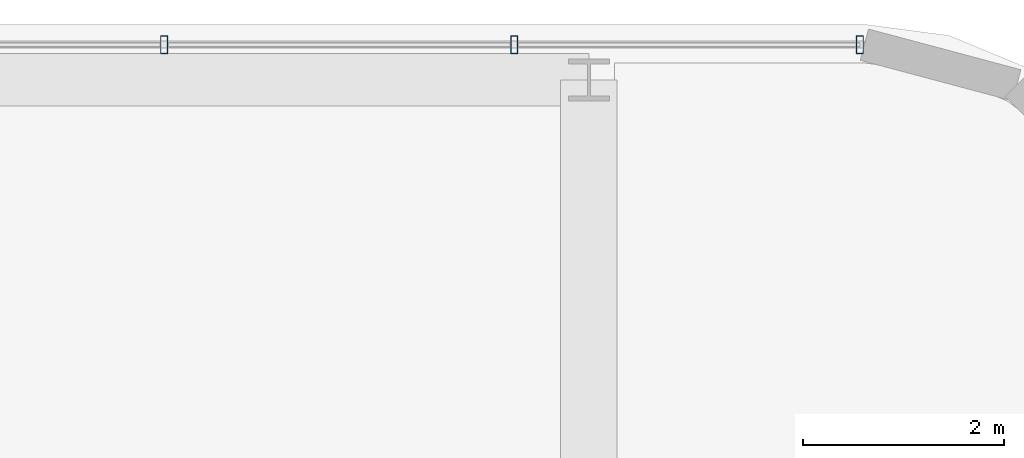
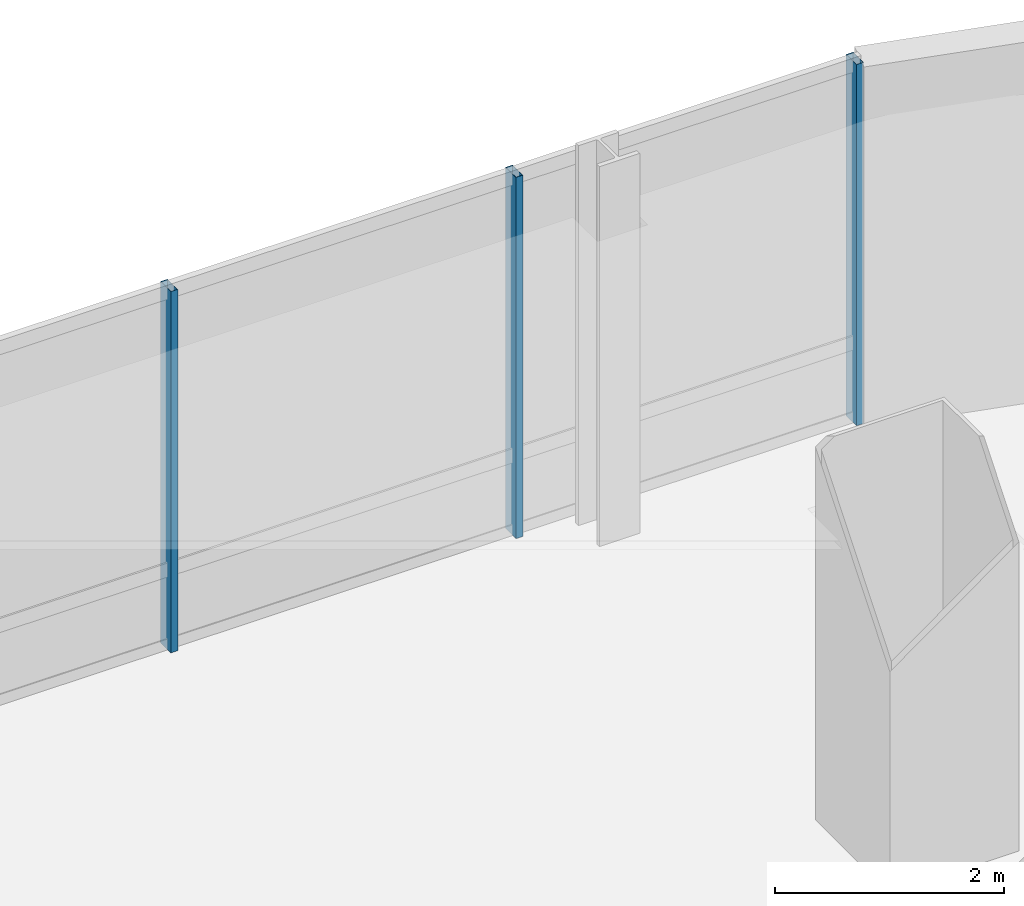
# One storey, part 28 of 44: 3 members, 1 element without a shape of its own.
"""IFC4 building model written with IfcOpenShell, lengths in metres."""

from ifc_helpers import new_model, si_unit, direction, frame, origin, origin_2d, place, context, subcontext, project, spatial, hollow_rectangle, extrude, material, material_profile, profile_set, type_object, element, aggregate, save


model = new_model("IFC4")

# Units and contexts
model_context = context("Model", 3, precision=1e-05, world=origin(), true_north=direction((0.0, 1.0)))
body_context = subcontext(model_context, "Body", "Model", "MODEL_VIEW")
ifc_project = project(units=[si_unit("LENGTHUNIT", "METRE"), si_unit("AREAUNIT", "SQUARE_METRE"), si_unit("VOLUMEUNIT", "CUBIC_METRE"), si_unit("PLANEANGLEUNIT", "RADIAN"), si_unit("MASSUNIT", "GRAM", prefix="KILO")], contexts=[model_context])

# Site, building, storey
site_placement = place(None, origin())
site = spatial("IfcSite", under=ifc_project, at=site_placement, CompositionType="ELEMENT")
building_placement = place(site_placement, origin())
building = spatial("IfcBuilding", under=site, at=building_placement, Name="Punatoya Terracotta Tower", CompositionType="ELEMENT")
storey_placement = place(building_placement, frame((0.0, 0.0, 267.60009765625)))
storey = spatial("IfcBuildingStorey", under=building, at=storey_placement, Name="L63", CompositionType="ELEMENT", Elevation=267.60009765625)

# Curtain wall, members
ifc_material_1 = material(Name="Aluminium 6063-T6 + Double Low-E Glass", Category="aluminium")
curtain_wall_type = type_object("IfcCurtainWallType", Name="CW-M3", PredefinedType="NOTDEFINED", material=ifc_material_1)
curtain_wall_placement = place(storey_placement, origin())
curtain_wall = element("IfcCurtainWall", 1, at=curtain_wall_placement, inside=storey, type_object=curtain_wall_type, Name="L63 Curtain Wall CW-L63-N09-1", PredefinedType="NOTDEFINED")
ifc_material_2 = material(Name="Aluminium 6063-T6", Category="aluminium")
ifc_material_profile = material_profile(ifc_material_2, hollow_rectangle(XDim=0.070068359375, YDim=0.179931640625, WallThickness=0.00390625, at=origin_2d()))
ifc_profile_set = profile_set([ifc_material_profile], Name="Aluminium 6063-T6")
member_type = type_object("IfcMemberType", Name="CW-MUL-M3", PredefinedType="MULLION", material=ifc_profile_set)
member_1_placement = place(storey_placement, frame((21.7919921875, 23.25, 0.0), z_axis=(0.0, 0.0, 1.0), x_axis=(1.0, 0.0, 0.0)))
member_1 = element("IfcMember", 2, at=member_1_placement, type_object=member_type, Name="CW-L63-N09-1 Mullion 00", PredefinedType="MULLION", context=body_context, shape_type="SweptSolid", body=[
    extrude(hollow_rectangle(XDim=0.070068359375, YDim=0.179931640625, WallThickness=0.00390625, at=origin_2d()), origin(), (0.0, 0.0, 1.0), 3.849853515625),
])
member_2_placement = place(storey_placement, frame((18.359619140625, 23.25, 0.0), z_axis=(0.0, 0.0, 1.0), x_axis=(1.0, 0.0, 0.0)))
member_2 = element("IfcMember", 3, at=member_2_placement, type_object=member_type, Name="CW-L63-N09-1 Mullion 01", PredefinedType="MULLION", context=body_context, shape_type="SweptSolid", body=[
    extrude(hollow_rectangle(XDim=0.070068359375, YDim=0.179931640625, WallThickness=0.00390625, at=origin_2d()), origin(), (0.0, 0.0, 1.0), 3.849853515625),
])
member_3_placement = place(storey_placement, frame((14.882080078125, 23.25, 0.0), z_axis=(0.0, 0.0, 1.0), x_axis=(1.0, 0.0, 0.0)))
member_3 = element("IfcMember", 4, at=member_3_placement, type_object=member_type, Name="CW-L63-N09-1 Mullion 02", PredefinedType="MULLION", context=body_context, shape_type="SweptSolid", body=[
    extrude(hollow_rectangle(XDim=0.070068359375, YDim=0.179931640625, WallThickness=0.00390625, at=origin_2d()), origin(), (0.0, 0.0, 1.0), 3.849853515625),
])
aggregate(curtain_wall, [member_1, member_2, member_3])

save(model, "model.ifc")
